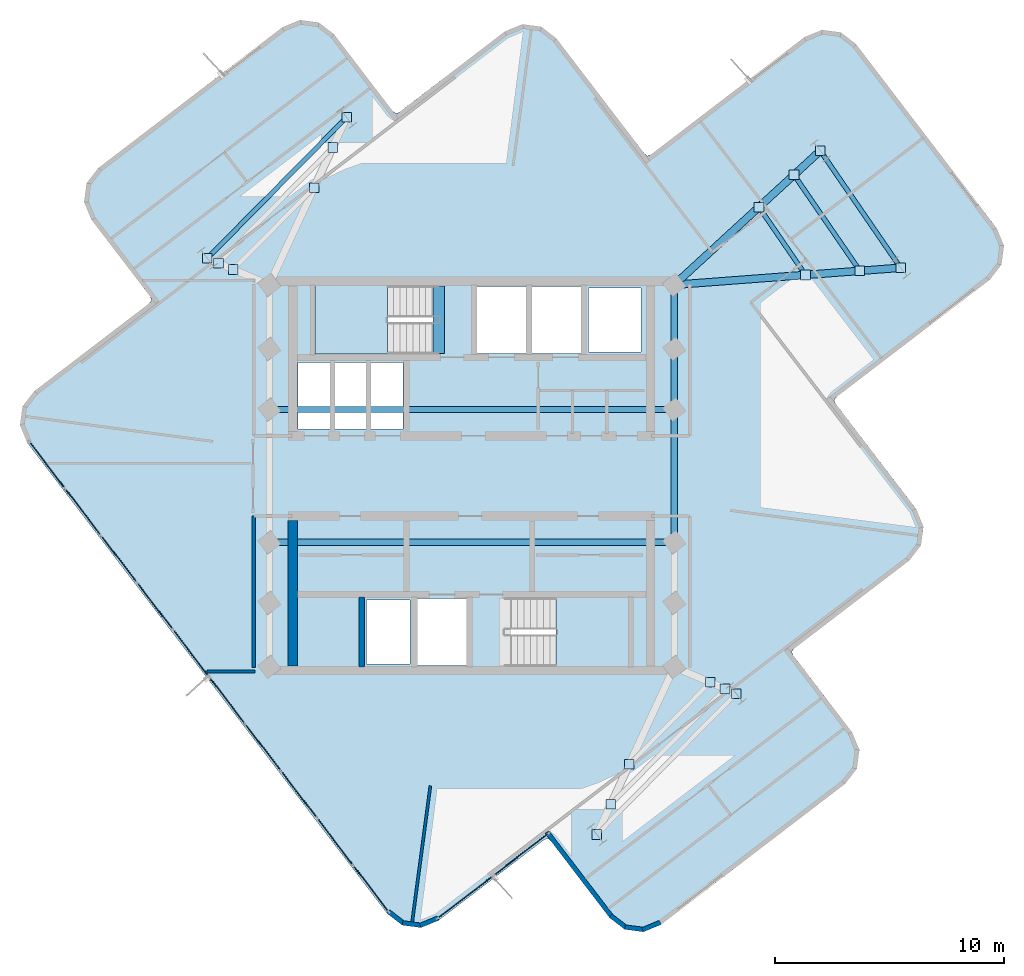
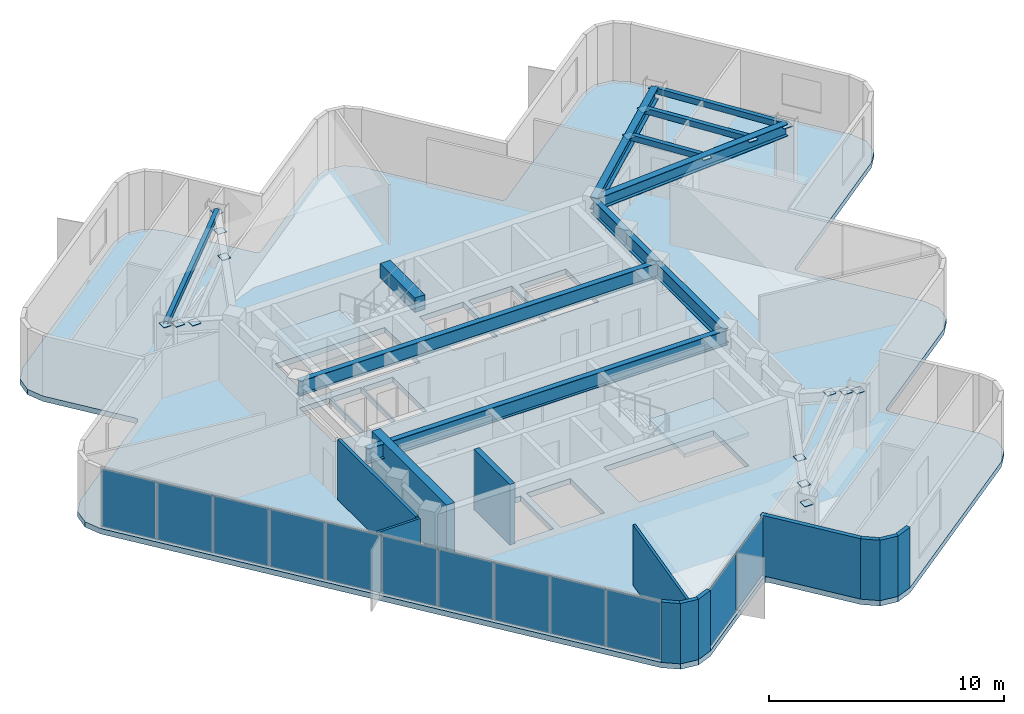
# One storey, part 4 of 9: 30 plates, 12 beams, 12 walls, 3 slabs, 4 elements without a shape of their own.
"""IFC4 building model written with IfcOpenShell, lengths in metres."""

import ifcopenshell
import ifcopenshell.guid

model = None  # the IFC model being written
_history = None  # IfcOwnerHistory: only IFC2X3 demands one
_inside = {}  # id of a spatial element -> (the spatial element, [elements in it])
_under = {}  # id of a project, library or spatial element -> (it, [spatial elements below it])
_declared = {}  # id of a project -> (the project, [libraries it declares])
_typed = {}  # id of a type object -> (the type object, [elements of that type])
_made_of = {}  # id of a material, layer set ... -> (it, [elements and type objects made of it])


def new_model(schema):
    """Start an empty IFC model of exactly this schema.

    Asked for "IFC4X3", IfcOpenShell would pick the latest addendum, in which some entities
    have other attributes; the version numbers below select the first issue.
    IFC2X3 requires an IfcOwnerHistory on every rooted entity: one is made here for all.
    """
    global model, _history
    if schema == "IFC4X3":
        model = ifcopenshell.file(schema_version=(4, 3, 0, 0))
    else:
        model = ifcopenshell.file(schema=schema)
    _inside.clear()
    _under.clear()
    _declared.clear()
    _typed.clear()
    _made_of.clear()
    _history = None
    if model.schema == "IFC2X3":
        org = make("IfcOrganization", Name="unknown")
        user = make(
            "IfcPersonAndOrganization",
            ThePerson=make("IfcPerson", FamilyName="unknown"),
            TheOrganization=org,
        )
        app = make(
            "IfcApplication",
            ApplicationDeveloper=org,
            Version="unknown",
            ApplicationFullName="unknown",
            ApplicationIdentifier="unknown",
        )
        _history = make(
            "IfcOwnerHistory",
            OwningUser=user,
            OwningApplication=app,
            ChangeAction="ADDED",
            CreationDate=0,
        )
    return model


def make(cls, **values):
    """One entity of the class cls with the attributes given. An attribute that is None is left unset."""
    return model.create_entity(
        cls, **{name: value for name, value in values.items() if value is not None}
    )


def rooted(cls, **values):
    """An entity with a GlobalId (a new one), such as an element, a storey or a relation."""
    return make(cls, GlobalId=ifcopenshell.guid.new(), OwnerHistory=_history, **values)


def si_unit(unit_type, name, prefix=None):
    """IfcSIUnit, for example si_unit("LENGTHUNIT", "METRE", prefix="MILLI")."""
    return make("IfcSIUnit", UnitType=unit_type, Prefix=prefix, Name=name)


def assignment(units):
    """IfcUnitAssignment: the units of a project."""
    return None if units is None else make("IfcUnitAssignment", Units=units)


def point(xyz):
    """IfcCartesianPoint."""
    return None if xyz is None else make("IfcCartesianPoint", Coordinates=xyz)


def direction(xyz):
    """IfcDirection."""
    return None if xyz is None else make("IfcDirection", DirectionRatios=xyz)


def frame(location, z_axis=None, x_axis=None):
    """IfcAxis2Placement3D, a coordinate frame: its origin and axes. An axis left out is left unset."""
    return make(
        "IfcAxis2Placement3D",
        Location=point(location),
        Axis=direction(z_axis),
        RefDirection=direction(x_axis),
    )


def frame_2d(location, x_axis=None):
    """IfcAxis2Placement2D, a coordinate frame in the plane: its origin and x axis."""
    return make(
        "IfcAxis2Placement2D", Location=point(location), RefDirection=direction(x_axis)
    )


def origin():
    """The frame at (0, 0, 0) with its axes left unset."""
    return frame((0.0, 0.0, 0.0))


def origin_2d():
    """The frame at (0, 0) in the plane with its x axis left unset."""
    return frame_2d((0.0, 0.0))


def place(relative_to, where):
    """IfcLocalPlacement: puts the frame where relative to a parent placement (None: the world)."""
    return make(
        "IfcLocalPlacement", PlacementRelTo=relative_to, RelativePlacement=where
    )


def context(
    kind, dimensions, precision=None, world=None, true_north=None, identifier=None
):
    """IfcGeometricRepresentationContext, for example the 3D "Model" context."""
    return make(
        "IfcGeometricRepresentationContext",
        ContextIdentifier=identifier,
        ContextType=kind,
        CoordinateSpaceDimension=dimensions,
        Precision=precision,
        WorldCoordinateSystem=world,
        TrueNorth=true_north,
    )


def subcontext(parent, identifier, kind, view, scale=None):
    """IfcGeometricRepresentationSubContext, for example "Body" below "Model"."""
    return make(
        "IfcGeometricRepresentationSubContext",
        ContextIdentifier=identifier,
        ContextType=kind,
        ParentContext=parent,
        TargetScale=scale,
        TargetView=view,
    )


def project(units=None, contexts=None):
    """IfcProject with its units and contexts."""
    return rooted(
        "IfcProject",
        Name="project",
        RepresentationContexts=contexts,
        UnitsInContext=assignment(units),
    )


def spatial(cls, under=None, at=None, **own):
    """A site, building, storey or space (cls), placed at a placement, below another one or the project."""
    s = rooted(cls, ObjectPlacement=at, **own)
    if under is not None:
        _under.setdefault(under.id(), (under, []))[1].append(s)
    return s


def polyline(points):
    """IfcPolyline through the points."""
    return make("IfcPolyline", Points=[point(p) for p in points])


def profile(cls, at=None, kind="AREA", **sizes):
    """A parametric profile (cls). Its sizes go by their IFC names, for example OverallWidth=200.0."""
    return make(cls, ProfileType=kind, Position=at, **sizes)


def rectangle(**sizes):
    """IfcRectangleProfileDef."""
    return profile("IfcRectangleProfileDef", **sizes)


def hollow_rectangle(**sizes):
    """IfcRectangleHollowProfileDef."""
    return profile("IfcRectangleHollowProfileDef", **sizes)


def i_section(**sizes):
    """IfcIShapeProfileDef."""
    return profile("IfcIShapeProfileDef", **sizes)


def outline(outer, holes=None, kind="AREA"):
    """IfcArbitraryClosedProfileDef: a profile drawn as a closed curve; with holes, ...WithVoids."""
    if holes is None:
        return make("IfcArbitraryClosedProfileDef", ProfileType=kind, OuterCurve=outer)
    return make(
        "IfcArbitraryProfileDefWithVoids",
        ProfileType=kind,
        OuterCurve=outer,
        InnerCurves=holes,
    )


def extrude(swept, where, along, depth):
    """IfcExtrudedAreaSolid: the profile swept, set in the frame where, extruded along a direction by depth."""
    return make(
        "IfcExtrudedAreaSolid",
        SweptArea=swept,
        Position=where,
        ExtrudedDirection=direction(along),
        Depth=depth,
    )


def shape(context_of_items, identifier, shape_type, items):
    """IfcShapeRepresentation: the items that make up one representation, for example the "Body"."""
    return make(
        "IfcShapeRepresentation",
        ContextOfItems=context_of_items,
        RepresentationIdentifier=identifier,
        RepresentationType=shape_type,
        Items=items,
    )


def material(Name=None, Category=None):
    """IfcMaterial."""
    return make("IfcMaterial", Name=Name, Category=Category)


def layer(
    of_material, thickness, ventilated=None, Name=None, Category=None, Priority=None
):
    """IfcMaterialLayer: one layer of a wall or slab, of a material (None: an air gap)."""
    return make(
        "IfcMaterialLayer",
        Material=of_material,
        LayerThickness=thickness,
        IsVentilated=ventilated,
        Name=Name,
        Category=Category,
        Priority=Priority,
    )


def layer_set(layers, Name=None):
    """IfcMaterialLayerSet."""
    return make("IfcMaterialLayerSet", MaterialLayers=layers, LayerSetName=Name)


def material_profile(
    of_material, cross_section, Name=None, Category=None, Priority=None
):
    """IfcMaterialProfile: a cross section and its material."""
    return make(
        "IfcMaterialProfile",
        Name=Name,
        Material=of_material,
        Profile=cross_section,
        Priority=Priority,
        Category=Category,
    )


def profile_set(profiles, Name=None, composite=None):
    """IfcMaterialProfileSet."""
    return make(
        "IfcMaterialProfileSet",
        Name=Name,
        MaterialProfiles=profiles,
        CompositeProfile=composite,
    )


def made_of(thing, what):
    """Note that an element or type object is made of a material, layer set ...; save() writes the relation."""
    if what is not None:
        _made_of.setdefault(what.id(), (what, []))[1].append(thing)
    return thing


def type_object(cls, material=None, **own):
    """A type object (cls), such as IfcWallType, which elements share."""
    return made_of(rooted(cls, **own), material)


def element(
    cls,
    number,
    at=None,
    inside=None,
    cuts=None,
    type_object=None,
    material=None,
    context=None,
    identifier="Body",
    shape_type=None,
    held_by="IfcProductDefinitionShape",
    body=None,
    shapes=None,
    **own,
):
    """One element of the class cls, such as IfcWall. Its Tag is "e" and its number.

    at: its placement. inside: the storey or other place that contains it. cuts: it is an
    opening in that element (IfcRelVoidsElement). A single representation is given by context,
    identifier, shape_type and body (its items); several are given by shapes. held_by: the class
    of the entity that holds the representations. save() writes the other relations.
    """
    e = rooted(cls, Tag="e%d" % number, ObjectPlacement=at, **own)
    if body is not None:
        shapes = [shape(context, identifier, shape_type, body)]
    if shapes is not None:
        e.Representation = make(held_by, Representations=shapes)
    if inside is not None:
        _inside.setdefault(inside.id(), (inside, []))[1].append(e)
    if cuts is not None:
        rooted(
            "IfcRelVoidsElement", RelatingBuildingElement=cuts, RelatedOpeningElement=e
        )
    if type_object is not None:
        _typed.setdefault(type_object.id(), (type_object, []))[1].append(e)
    return made_of(e, material)


def aggregate(whole, parts):
    """IfcRelAggregates: a whole, such as a stair, and the parts it consists of."""
    return rooted("IfcRelAggregates", RelatingObject=whole, RelatedObjects=parts)


def save(model, path):
    """Write the relations noted so far, then the file.

    IfcRelAggregates (storeys below a building ...), IfcRelContainedInSpatialStructure (elements
    in a storey), IfcRelDefinesByType, IfcRelAssociatesMaterial and IfcRelDeclares: one each for
    every whole, place, type object, material and project.
    """
    for whole, parts in _under.values():
        aggregate(whole, parts)
    for where, things in _inside.values():
        rooted(
            "IfcRelContainedInSpatialStructure",
            RelatedElements=things,
            RelatingStructure=where,
        )
    for kind, things in _typed.values():
        rooted("IfcRelDefinesByType", RelatedObjects=things, RelatingType=kind)
    for what, things in _made_of.values():
        rooted("IfcRelAssociatesMaterial", RelatedObjects=things, RelatingMaterial=what)
    for by, libraries in _declared.values():
        rooted("IfcRelDeclares", RelatingContext=by, RelatedDefinitions=libraries)
    model.write(path)


model = new_model("IFC4")

# Units and contexts
model_context = context("Model", 3, precision=1e-05, world=origin(), true_north=direction((0.0, 1.0)))
body_context = subcontext(model_context, "Body", "Model", "MODEL_VIEW")
ifc_project = project(units=[si_unit("LENGTHUNIT", "METRE"), si_unit("AREAUNIT", "SQUARE_METRE"), si_unit("VOLUMEUNIT", "CUBIC_METRE"), si_unit("PLANEANGLEUNIT", "RADIAN"), si_unit("MASSUNIT", "GRAM", prefix="KILO")], contexts=[model_context])

# Site, building, storey
site_placement = place(None, origin())
site = spatial("IfcSite", under=ifc_project, at=site_placement, CompositionType="ELEMENT")
building_placement = place(site_placement, origin())
building = spatial("IfcBuilding", under=site, at=building_placement, Name="Solmarez Civic Tower", CompositionType="ELEMENT")
storey_placement = place(building_placement, frame((0.0, 0.0, 229.139892578125)))
storey = spatial("IfcBuildingStorey", under=building, at=storey_placement, Name="L61", CompositionType="ELEMENT", Elevation=229.139892578125)

# Beams
ifc_material_1 = material(Name="Steel S355", Category="steel")
ifc_material_profile_1 = material_profile(ifc_material_1, hollow_rectangle(XDim=0.199951171875, YDim=0.300048828125, WallThickness=0.011962890625, at=origin_2d()), Name="HSS300X200X12")
ifc_profile_set_1 = profile_set([ifc_material_profile_1], Name="Steel S355")
beam_type_1 = type_object("IfcBeamType", Name="BM-JS-HSS300X200", PredefinedType="JOIST", material=ifc_profile_set_1)
beam_1_placement = place(storey_placement, frame((18.740966796875, 9.096923828125, 2.989990234375), z_axis=(-0.565711253315, 0.824603406416, 0.0), x_axis=(-0.824603406416, -0.565711253315, 0.0)))
element("IfcBeam", 1, at=beam_1_placement, inside=storey, type_object=beam_type_1, Name="L61 Secondary Floor Joist BM-L61-EA-T1", PredefinedType="JOIST", context=body_context, shape_type="SweptSolid", body=[
    extrude(hollow_rectangle(XDim=0.199951171875, YDim=0.300048828125, WallThickness=0.011962890625, at=origin_2d()), origin(), (0.0, 0.0, 1.0), 6.199462890625),
])
beam_2_placement = place(storey_placement, frame((14.5869140625, 8.782958984375, 2.989990234375), z_axis=(-0.565666897805, 0.824633834334, 0.0), x_axis=(-0.824633834334, -0.565666897805, 0.0)))
element("IfcBeam", 2, at=beam_2_placement, inside=storey, type_object=beam_type_1, Name="L61 Secondary Floor Joist JS-L61-EA-M11", PredefinedType="JOIST", context=body_context, shape_type="SweptSolid", body=[
    extrude(hollow_rectangle(XDim=0.199951171875, YDim=0.300048828125, WallThickness=0.011962890625, at=origin_2d()), origin(), (0.0, 0.0, 1.0), 3.595703125),
])
beam_3_placement = place(storey_placement, frame((16.9609375, 8.962890625, 2.989990234375), z_axis=(-0.565800880521, 0.824541911367, 0.0), x_axis=(-0.824541911367, -0.565800880521, 0.0)))
element("IfcBeam", 3, at=beam_3_placement, inside=storey, type_object=beam_type_1, Name="L61 Secondary Floor Joist JS-L61-EA-M12", PredefinedType="JOIST", context=body_context, shape_type="SweptSolid", body=[
    extrude(hollow_rectangle(XDim=0.199951171875, YDim=0.300048828125, WallThickness=0.011962890625, at=origin_2d()), origin(), (0.0, 0.0, 1.0), 5.0830078125),
])
beam_4_placement = place(storey_placement, frame((-5.468017578125, 15.6708984375, 2.989990234375), z_axis=(-0.702766092364, -0.711420986072, 0.0), x_axis=(0.711420986072, -0.702766092364, 0.0)))
element("IfcBeam", 4, at=beam_4_placement, inside=storey, type_object=beam_type_1, Name="L61 Secondary Floor Joist BM-L61-NA-T1", PredefinedType="JOIST", context=body_context, shape_type="SweptSolid", body=[
    extrude(hollow_rectangle(XDim=0.199951171875, YDim=0.300048828125, WallThickness=0.011962890625, at=origin_2d()), origin(), (0.0, 0.0, 1.0), 8.659912109375),
])
ifc_material_2 = material(Name="Concrete C50/60", Category="concrete")
ifc_material_profile_2 = material_profile(ifc_material_2, rectangle(XDim=0.5, YDim=0.75, at=origin_2d()), Name="RC500X750")
ifc_profile_set_2 = profile_set([ifc_material_profile_2], Name="Concrete C50/60")
beam_type_2 = type_object("IfcBeamType", Name="BM-PR-RC500X750", PredefinedType="BEAM", material=ifc_profile_set_2)
beam_5_placement = place(storey_placement, frame((-1.449951171875, 5.340087890625, 3.05322265625), z_axis=(0.0, 1.0, 0.0), x_axis=(-1.0, 0.0, 0.0)))
element("IfcBeam", 5, at=beam_5_placement, inside=storey, type_object=beam_type_2, Name="L61 North Stair Threshold Beam", PredefinedType="BEAM", context=body_context, shape_type="SweptSolid", body=[
    extrude(rectangle(XDim=0.5, YDim=0.75, at=origin_2d()), origin(), (0.0, 0.0, 1.0), 2.9599609375),
])
ifc_material_profile_3 = material_profile(ifc_material_1, i_section(OverallWidth=0.327880859375, OverallDepth=0.6220703125, WebThickness=0.015380859375, FlangeThickness=0.0244140625, at=origin_2d()), Name="W24X131")
ifc_profile_set_3 = profile_set([ifc_material_profile_3], Name="Steel S355")
beam_type_3 = type_object("IfcBeamType", Name="BM-PR-W24X131", PredefinedType="BEAM", material=ifc_profile_set_3)
beam_6_placement = place(storey_placement, frame((8.85009765625, 8.35009765625, 2.8291015625), z_axis=(0.997161506076, 0.075292302399, 0.0), x_axis=(-0.075292302399, 0.997161506076, 0.0)))
element("IfcBeam", 6, at=beam_6_placement, inside=storey, type_object=beam_type_3, Name="L61 Primary Floor Beam BM-L61-EA-R1A", PredefinedType="BEAM", context=body_context, shape_type="SweptSolid", body=[
    extrude(i_section(OverallWidth=0.327880859375, OverallDepth=0.6220703125, WebThickness=0.015380859375, FlangeThickness=0.0244140625, at=origin_2d()), origin(), (0.0, 0.0, 1.0), 9.9189453125),
])
beam_7_placement = place(storey_placement, frame((8.85009765625, 8.35009765625, 2.8291015625), z_axis=(0.736746995662, 0.676168517741, 0.0), x_axis=(-0.676168517741, 0.736746995662, 0.0)))
element("IfcBeam", 7, at=beam_7_placement, inside=storey, type_object=beam_type_3, Name="L61 Primary Floor Beam BM-L61-EA-R1B", PredefinedType="BEAM", context=body_context, shape_type="SweptSolid", body=[
    extrude(i_section(OverallWidth=0.327880859375, OverallDepth=0.6220703125, WebThickness=0.015380859375, FlangeThickness=0.0244140625, at=origin_2d()), origin(), (0.0, 0.0, 1.0), 8.664794921875),
])
ifc_material_profile_4 = material_profile(ifc_material_1, i_section(OverallWidth=0.26708984375, OverallDepth=0.761962890625, WebThickness=0.014404296875, FlangeThickness=0.021484375, at=origin_2d()), Name="W30X116")
ifc_profile_set_4 = profile_set([ifc_material_profile_4], Name="Steel S355")
beam_type_4 = type_object("IfcBeamType", Name="BM-PR-W30X116", PredefinedType="BEAM", material=ifc_profile_set_4)
beam_8_placement = place(storey_placement, frame((8.85009765625, -2.89990234375, 2.759033203125), z_axis=(0.0, 1.0, 0.0), x_axis=(-1.0, 0.0, 0.0)))
element("IfcBeam", 8, at=beam_8_placement, inside=storey, type_object=beam_type_4, Name="L61 Primary Floor Beam BM-L61-HC6-HC7", PredefinedType="BEAM", context=body_context, shape_type="SweptSolid", body=[
    extrude(i_section(OverallWidth=0.26708984375, OverallDepth=0.761962890625, WebThickness=0.014404296875, FlangeThickness=0.021484375, at=origin_2d()), origin(), (0.0, 0.0, 1.0), 5.7998046875),
])
beam_9_placement = place(storey_placement, frame((8.85009765625, 2.89990234375, 2.759033203125), z_axis=(0.0, 1.0, 0.0), x_axis=(-1.0, 0.0, 0.0)))
element("IfcBeam", 9, at=beam_9_placement, inside=storey, type_object=beam_type_4, Name="L61 Primary Floor Beam BM-L61-HC7-HC8", PredefinedType="BEAM", context=body_context, shape_type="SweptSolid", body=[
    extrude(i_section(OverallWidth=0.26708984375, OverallDepth=0.761962890625, WebThickness=0.014404296875, FlangeThickness=0.021484375, at=origin_2d()), origin(), (0.0, 0.0, 1.0), 2.650146484375),
])
beam_10_placement = place(storey_placement, frame((8.85009765625, 5.550048828125, 2.759033203125), z_axis=(0.0, 1.0, 0.0), x_axis=(-1.0, 0.0, 0.0)))
element("IfcBeam", 10, at=beam_10_placement, inside=storey, type_object=beam_type_4, Name="L61 Primary Floor Beam BM-L61-HC8-HC11", PredefinedType="BEAM", context=body_context, shape_type="SweptSolid", body=[
    extrude(i_section(OverallWidth=0.26708984375, OverallDepth=0.761962890625, WebThickness=0.014404296875, FlangeThickness=0.021484375, at=origin_2d()), origin(), (0.0, 0.0, 1.0), 2.800048828125),
])
for number, where, z_axis, x_axis, name in (
    (11, (-8.85009765625, -2.89990234375, 2.759033203125), (1.0, 0.0, 0.0), (0.0, 1.0, 0.0), "L61 Primary Floor Beam BM-L61-HC2-HC6"),
    (12, (-8.85009765625, 2.89990234375, 2.759033203125), (1.0, 0.0, 0.0), (0.0, 1.0, 0.0), "L61 Primary Floor Beam BM-L61-HC3-HC7"),
):
    element("IfcBeam", number, at=place(storey_placement, frame(where, z_axis=z_axis, x_axis=x_axis)), inside=storey, type_object=beam_type_4, Name=name, PredefinedType="BEAM", context=body_context, shape_type="SweptSolid", body=[
        extrude(i_section(OverallWidth=0.26708984375, OverallDepth=0.761962890625, WebThickness=0.014404296875, FlangeThickness=0.021484375, at=origin_2d()), origin(), (0.0, 0.0, 1.0), 17.7001953125),
    ])

# Curtain wall, plates
ifc_material_3 = material(Name="Bronze Anodised Aluminium EN AW-6063 T6", Category="aluminium")
ifc_layer_1 = layer(ifc_material_3, 0.1650390625)
ifc_layer_set_1 = layer_set([ifc_layer_1], Name="Bronze Anodised Aluminium EN AW-6063 T6")
curtain_wall_type = type_object("IfcCurtainWallType", Name="CW-SYS-4", PredefinedType="NOTDEFINED", material=ifc_layer_set_1)
curtain_wall_1_placement = place(storey_placement, origin())
curtain_wall_1 = element("IfcCurtainWall", 13, at=curtain_wall_1_placement, inside=storey, type_object=curtain_wall_type, Name="L61 Stick-Built Curtain Wall 1", PredefinedType="NOTDEFINED")
ifc_material_4 = material(Name="Solar Control Low-E Laminated Vision Glass", Category="glass")
ifc_layer_2 = layer(ifc_material_4, 0.0400390625)
ifc_layer_set_2 = layer_set([ifc_layer_2], Name="Solar Control Low-E Laminated Vision Glass")
plate_type_1 = type_object("IfcPlateType", Name="CWP-GLAZ-40", PredefinedType="CURTAIN_PANEL", material=ifc_layer_set_2)
plate_1_placement = place(storey_placement, frame((2.162353515625, -16.53515625, 0.070068359375), z_axis=(0.0, 0.0, 1.0), x_axis=(-0.794334951734, -0.607480028029, 0.0)))
plate_1 = element("IfcPlate", 14, at=plate_1_placement, type_object=plate_type_1, Name="CWS4 panel 1.1", PredefinedType="CURTAIN_PANEL", context=body_context, shape_type="SweptSolid", body=[
    extrude(rectangle(XDim=3.01123046875, YDim=0.0400390625, at=origin_2d()), origin(), (0.0, 0.0, 1.0), 3.0),
])
plate_2_placement = place(storey_placement, frame((-0.27734375, -18.40087890625, 0.070068359375), z_axis=(0.0, 0.0, 1.0), x_axis=(-0.794334951734, -0.607480028029, 0.0)))
plate_2 = element("IfcPlate", 15, at=plate_2_placement, type_object=plate_type_1, Name="CWS4 panel 2.1", PredefinedType="CURTAIN_PANEL", context=body_context, shape_type="SweptSolid", body=[
    extrude(rectangle(XDim=3.01123046875, YDim=0.0400390625, at=origin_2d()), origin(), (0.0, 0.0, 1.0), 3.0),
])
aggregate(curtain_wall_1, [plate_1, plate_2])

curtain_wall_2_placement = place(storey_placement, origin())
curtain_wall_2 = element("IfcCurtainWall", 16, at=curtain_wall_2_placement, inside=storey, type_object=curtain_wall_type, Name="L61 Stick-Built Curtain Wall 2", PredefinedType="NOTDEFINED")
plate_3_placement = place(storey_placement, frame((-4.4033203125, -18.0322265625, 0.070068359375), z_axis=(0.0, 0.0, 1.0), x_axis=(-0.607349877348, 0.794434469598, 0.0)))
plate_3 = element("IfcPlate", 17, at=plate_3_placement, type_object=plate_type_1, Name="CWS4 panel 1.1", PredefinedType="CURTAIN_PANEL", context=body_context, shape_type="SweptSolid", body=[
    extrude(rectangle(XDim=2.50244140625, YDim=0.0400390625, at=origin_2d()), origin(), (0.0, 0.0, 1.0), 3.0),
])
plate_4_placement = place(storey_placement, frame((-5.96875, -15.98486328125, 0.070068359375), z_axis=(0.0, 0.0, 1.0), x_axis=(-0.607349877348, 0.794434469598, 0.0)))
plate_4 = element("IfcPlate", 18, at=plate_4_placement, type_object=plate_type_1, Name="CWS4 panel 2.1", PredefinedType="CURTAIN_PANEL", context=body_context, shape_type="SweptSolid", body=[
    extrude(rectangle(XDim=2.532470703125, YDim=0.0400390625, at=origin_2d()), origin(), (0.0, 0.0, 1.0), 3.0),
])
plate_5_placement = place(storey_placement, frame((-7.543212890625, -13.92529296875, 0.070068359375), z_axis=(0.0, 0.0, 1.0), x_axis=(-0.607349877348, 0.794434469598, 0.0)))
plate_5 = element("IfcPlate", 19, at=plate_5_placement, type_object=plate_type_1, Name="CWS4 panel 3.1", PredefinedType="CURTAIN_PANEL", context=body_context, shape_type="SweptSolid", body=[
    extrude(rectangle(XDim=2.532470703125, YDim=0.0400390625, at=origin_2d()), origin(), (0.0, 0.0, 1.0), 3.0),
])
plate_6_placement = place(storey_placement, frame((-9.11767578125, -11.86572265625, 0.070068359375), z_axis=(0.0, 0.0, 1.0), x_axis=(-0.607349877348, 0.794434469598, 0.0)))
plate_6 = element("IfcPlate", 20, at=plate_6_placement, type_object=plate_type_1, Name="CWS4 panel 4.1", PredefinedType="CURTAIN_PANEL", context=body_context, shape_type="SweptSolid", body=[
    extrude(rectangle(XDim=2.532470703125, YDim=0.0400390625, at=origin_2d()), origin(), (0.0, 0.0, 1.0), 3.0),
])
plate_7_placement = place(storey_placement, frame((-10.692138671875, -9.80615234375, 0.070068359375), z_axis=(0.0, 0.0, 1.0), x_axis=(-0.607349877348, 0.794434469598, 0.0)))
plate_7 = element("IfcPlate", 21, at=plate_7_placement, type_object=plate_type_1, Name="CWS4 panel 5.1", PredefinedType="CURTAIN_PANEL", context=body_context, shape_type="SweptSolid", body=[
    extrude(rectangle(XDim=2.532470703125, YDim=0.0400390625, at=origin_2d()), origin(), (0.0, 0.0, 1.0), 3.0),
])
plate_8_placement = place(storey_placement, frame((-12.266845703125, -7.746826171875, 0.070068359375), z_axis=(0.0, 0.0, 1.0), x_axis=(-0.607349877348, 0.794434469598, 0.0)))
plate_8 = element("IfcPlate", 22, at=plate_8_placement, type_object=plate_type_1, Name="CWS4 panel 6.1", PredefinedType="CURTAIN_PANEL", context=body_context, shape_type="SweptSolid", body=[
    extrude(rectangle(XDim=2.532470703125, YDim=0.0400390625, at=origin_2d()), origin(), (0.0, 0.0, 1.0), 3.0),
])
plate_9_placement = place(storey_placement, frame((-13.84130859375, -5.687255859375, 0.070068359375), z_axis=(0.0, 0.0, 1.0), x_axis=(-0.607349877348, 0.794434469598, 0.0)))
plate_9 = element("IfcPlate", 23, at=plate_9_placement, type_object=plate_type_1, Name="CWS4 panel 7.1", PredefinedType="CURTAIN_PANEL", context=body_context, shape_type="SweptSolid", body=[
    extrude(rectangle(XDim=2.532470703125, YDim=0.0400390625, at=origin_2d()), origin(), (0.0, 0.0, 1.0), 3.0),
])
plate_10_placement = place(storey_placement, frame((-15.415771484375, -3.627685546875, 0.070068359375), z_axis=(0.0, 0.0, 1.0), x_axis=(-0.607349877348, 0.794434469598, 0.0)))
plate_10 = element("IfcPlate", 24, at=plate_10_placement, type_object=plate_type_1, Name="CWS4 panel 8.1", PredefinedType="CURTAIN_PANEL", context=body_context, shape_type="SweptSolid", body=[
    extrude(rectangle(XDim=2.532470703125, YDim=0.0400390625, at=origin_2d()), origin(), (0.0, 0.0, 1.0), 3.0),
])
plate_11_placement = place(storey_placement, frame((-16.990234375, -1.568359375, 0.070068359375), z_axis=(0.0, 0.0, 1.0), x_axis=(-0.607349877348, 0.794434469598, 0.0)))
plate_11 = element("IfcPlate", 25, at=plate_11_placement, type_object=plate_type_1, Name="CWS4 panel 9.1", PredefinedType="CURTAIN_PANEL", context=body_context, shape_type="SweptSolid", body=[
    extrude(rectangle(XDim=2.532470703125, YDim=0.0400390625, at=origin_2d()), origin(), (0.0, 0.0, 1.0), 3.0),
])
plate_12_placement = place(storey_placement, frame((-18.5556640625, 0.479248046875, 0.070068359375), z_axis=(0.0, 0.0, 1.0), x_axis=(-0.607349877348, 0.794434469598, 0.0)))
plate_12 = element("IfcPlate", 26, at=plate_12_placement, type_object=plate_type_1, Name="CWS4 panel 10.1", PredefinedType="CURTAIN_PANEL", context=body_context, shape_type="SweptSolid", body=[
    extrude(rectangle(XDim=2.50244140625, YDim=0.0400390625, at=origin_2d()), origin(), (0.0, 0.0, 1.0), 3.0),
])
aggregate(curtain_wall_2, [plate_3, plate_4, plate_5, plate_6, plate_7, plate_8, plate_9, plate_10, plate_11, plate_12])

# Plates
ifc_layer_3 = layer(ifc_material_1, 0.02392578125)
ifc_layer_set_3 = layer_set([ifc_layer_3], Name="Steel S355")
plate_type_2 = type_object("IfcPlateType", Name="PLT-CAP-380", PredefinedType="USERDEFINED", material=ifc_layer_set_3)
for number, where, z_axis, x_axis, name in (
    (27, (18.740966796875, 9.096923828125, 2.97802734375), (0.0, 0.0, 1.0), (1.0, 0.0, 0.0), "Steel Member End Cap Plate CAP-BM-L61-EA-T1-0"),
    (28, (15.23388671875, 14.208984375, 2.97802734375), (0.0, 0.0, 1.0), (1.0, 0.0, 0.0), "Steel Member End Cap Plate CAP-BM-L61-EA-T1-1"),
    (29, (14.5869140625, 8.782958984375, 2.97802734375), (0.0, 0.0, 1.0), (1.0, 0.0, 0.0), "Steel Member End Cap Plate CAP-JS-L61-EA-M11-0"),
    (30, (12.552978515625, 11.748046875, 2.97802734375), (0.0, 0.0, 1.0), (1.0, 0.0, 0.0), "Steel Member End Cap Plate CAP-JS-L61-EA-M11-1"),
    (31, (16.9609375, 8.962890625, 2.97802734375), (0.0, 0.0, 1.0), (1.0, 0.0, 0.0), "Steel Member End Cap Plate CAP-JS-L61-EA-M12-0"),
    (32, (14.0849609375, 13.154052734375, 2.97802734375), (0.0, 0.0, 1.0), (1.0, 0.0, 0.0), "Steel Member End Cap Plate CAP-JS-L61-EA-M12-1"),
    (33, (-5.468017578125, 15.6708984375, 2.97802734375), (0.0, 0.0, 1.0), (1.0, 0.0, 0.0), "Steel Member End Cap Plate CAP-BM-L61-NA-T1-0"),
    (34, (-11.553955078125, 9.510009765625, 2.97802734375), (0.0, 0.0, 1.0), (1.0, 0.0, 0.0), "Steel Member End Cap Plate CAP-BM-L61-NA-T1-1"),
    (35, (-6.887939453125, 12.595947265625, 2.97802734375), (0.0, 0.0, 1.0), (1.0, 0.0, 0.0), "Steel Member End Cap Plate CAP-JS-L61-NA-M11-0"),
    (36, (-10.41796875, 9.02294921875, 2.97802734375), (0.0, 0.0, 1.0), (1.0, 0.0, 0.0), "Steel Member End Cap Plate CAP-JS-L61-NA-M11-1"),
    (37, (-6.076904296875, 14.35302734375, 2.97802734375), (0.0, 0.0, 1.0), (1.0, 0.0, 0.0), "Steel Member End Cap Plate CAP-JS-L61-NA-M12-0"),
    (38, (-11.06689453125, 9.301025390625, 2.97802734375), (0.0, 0.0, 1.0), (1.0, 0.0, 0.0), "Steel Member End Cap Plate CAP-JS-L61-NA-M12-1"),
    (39, (5.468017578125, -15.6708984375, 2.97802734375), (0.0, 0.0, 1.0), (1.0, 0.0, 0.0), "Steel Member End Cap Plate CAP-BM-L61-SA-T1-0"),
    (40, (11.553955078125, -9.510009765625, 2.97802734375), (0.0, 0.0, 1.0), (1.0, 0.0, 0.0), "Steel Member End Cap Plate CAP-BM-L61-SA-T1-1"),
    (41, (6.887939453125, -12.595947265625, 2.97802734375), (0.0, 0.0, 1.0), (1.0, 0.0, 0.0), "Steel Member End Cap Plate CAP-JS-L61-SA-M11-0"),
    (42, (10.41796875, -9.02294921875, 2.97802734375), (0.0, 0.0, 1.0), (1.0, 0.0, 0.0), "Steel Member End Cap Plate CAP-JS-L61-SA-M11-1"),
    (43, (6.076904296875, -14.35302734375, 2.97802734375), (0.0, 0.0, 1.0), (1.0, 0.0, 0.0), "Steel Member End Cap Plate CAP-JS-L61-SA-M12-0"),
    (44, (11.06689453125, -9.301025390625, 2.97802734375), (0.0, 0.0, 1.0), (1.0, 0.0, 0.0), "Steel Member End Cap Plate CAP-JS-L61-SA-M12-1"),
):
    element("IfcPlate", number, at=place(storey_placement, frame(where, z_axis=z_axis, x_axis=x_axis)), inside=storey, type_object=plate_type_2, Name=name, ObjectType="CAP_PLATE", PredefinedType="USERDEFINED", context=body_context, shape_type="SweptSolid", body=[
        extrude(rectangle(XDim=0.419921875, YDim=0.419921875, at=origin_2d()), origin(), (0.0, 0.0, 1.0), 0.02392578125),
    ])

# Stair, slab
stair_type = type_object("IfcStairType", Name="STAIR-DOGLEG-140W-18R-1900", PredefinedType="HALF_TURN_STAIR", material=ifc_material_2)
stair_1_placement = place(storey_placement, origin())
stair_1 = element("IfcStair", 45, at=stair_1_placement, inside=storey, type_object=stair_type, Name="L61 North Core Protected Exit Stair ST-1", PredefinedType="HALF_TURN_STAIR")
ifc_layer_4 = layer(ifc_material_2, 0.199951171875)
ifc_layer_set_4 = layer_set([ifc_layer_4], Name="Concrete C50/60")
slab_type_1 = type_object("IfcSlabType", Name="SLAB-LANDING-200", PredefinedType="LANDING", material=ifc_layer_set_4)
slab_1_placement = place(storey_placement, frame((0.0, 0.0, 1.510009765625)))
slab_1 = element("IfcSlab", 46, at=slab_1_placement, type_object=slab_type_1, Name="ST-1 landing 1", PredefinedType="LANDING", context=body_context, shape_type="SweptSolid", body=[
    extrude(outline(polyline([(-3.68994140625, 8.320068359375), (-6.85009765625, 8.320068359375), (-6.85009765625, 5.320068359375), (-3.68994140625, 5.320068359375), (-3.68994140625, 8.320068359375)])), origin(), (0.0, 0.0, 1.0), 0.2001953125),
])
aggregate(stair_1, [slab_1])

stair_2_placement = place(storey_placement, origin())
stair_2 = element("IfcStair", 47, at=stair_2_placement, inside=storey, type_object=stair_type, Name="L61 South Core Protected Exit Stair ST-2", PredefinedType="HALF_TURN_STAIR")
slab_2_placement = place(storey_placement, frame((0.0, 0.0, 1.510009765625)))
slab_2 = element("IfcSlab", 48, at=slab_2_placement, type_object=slab_type_1, Name="ST-2 landing 1", PredefinedType="LANDING", context=body_context, shape_type="SweptSolid", body=[
    extrude(outline(polyline([(3.68994140625, -8.320068359375), (6.85009765625, -8.320068359375), (6.85009765625, -5.320068359375), (3.68994140625, -5.320068359375), (3.68994140625, -8.320068359375)])), origin(), (0.0, 0.0, 1.0), 0.2001953125),
])
aggregate(stair_2, [slab_2])

# Slab
ifc_layer_5 = layer(ifc_material_2, 0.280029296875)
ifc_layer_set_5 = layer_set([ifc_layer_5], Name="Concrete C50/60")
slab_type_2 = type_object("IfcSlabType", Name="SLAB-TOWER-280", PredefinedType="FLOOR", material=ifc_layer_set_5)
slab_3_placement = place(storey_placement, frame((0.0, 0.0, -0.27978515625)))
element("IfcSlab", 49, at=slab_3_placement, inside=storey, type_object=slab_type_2, Name="L61 Structural Slab", PredefinedType="FLOOR", context=body_context, shape_type="SweptSolid", body=[
    extrude(outline(polyline([(3.451904296875, -15.94091796875), (6.027099609375, -19.30908203125), (6.68310546875, -19.81396484375), (7.50390625, -19.924072265625), (8.27001953125, -19.60791015625), (16.324951171875, -13.449951171875), (16.830078125, -12.79296875), (16.93994140625, -11.971923828125), (16.6240234375, -11.20703125), (14.050048828125, -7.839111328125), (13.98388671875, -7.679931640625), (14.089111328125, -7.5439453125), (19.125, -3.693115234375), (19.6298828125, -3.037109375), (19.739990234375, -2.216064453125), (19.424072265625, -1.449951171875), (15.902099609375, 3.156982421875), (15.8359375, 3.31591796875), (15.94091796875, 3.451904296875), (22.64599609375, 8.577880859375), (23.15087890625, 9.23388671875), (23.260009765625, 10.054931640625), (22.945068359375, 10.821044921875), (16.785888671875, 18.8759765625), (16.1298828125, 19.381103515625), (15.30908203125, 19.490966796875), (14.54296875, 19.175048828125), (7.839111328125, 14.050048828125), (7.679931640625, 13.98388671875), (7.5439453125, 14.089111328125), (3.693115234375, 19.125), (3.037109375, 19.6298828125), (2.216064453125, 19.739990234375), (1.449951171875, 19.424072265625), (-3.156982421875, 15.902099609375), (-3.31591796875, 15.8359375), (-3.451904296875, 15.94091796875), (-6.027099609375, 19.30908203125), (-6.68310546875, 19.81396484375), (-7.50390625, 19.924072265625), (-8.27001953125, 19.60791015625), (-16.324951171875, 13.449951171875), (-16.830078125, 12.79296875), (-16.93994140625, 11.971923828125), (-16.6240234375, 11.20703125), (-14.050048828125, 7.839111328125), (-13.98388671875, 7.679931640625), (-14.089111328125, 7.5439453125), (-19.125, 3.693115234375), (-19.6298828125, 3.037109375), (-19.739990234375, 2.216064453125), (-19.424072265625, 1.449951171875), (-3.693115234375, -19.125), (-3.037109375, -19.6298828125), (-2.216064453125, -19.739990234375), (-1.449951171875, -19.424072265625), (3.156982421875, -15.902099609375), (3.31591796875, -15.8359375), (3.451904296875, -15.94091796875)]), holes=[polyline([(-1.449951171875, 8.320068359375), (-6.85009765625, 8.320068359375), (-6.85009765625, 5.320068359375), (-1.449951171875, 5.320068359375), (-1.449951171875, 8.320068359375)]), polyline([(1.449951171875, -8.320068359375), (6.85009765625, -8.320068359375), (6.85009765625, -5.320068359375), (1.449951171875, -5.320068359375), (1.449951171875, -8.320068359375)]), polyline([(0.219970703125, 5.360107421875), (2.3798828125, 5.360107421875), (2.3798828125, 8.280029296875), (0.219970703125, 8.280029296875), (0.219970703125, 5.360107421875)]), polyline([(2.6201171875, 5.360107421875), (4.780029296875, 5.360107421875), (4.780029296875, 8.280029296875), (2.6201171875, 8.280029296875), (2.6201171875, 5.360107421875)]), polyline([(-2.3798828125, -8.280029296875), (-0.219970703125, -8.280029296875), (-0.219970703125, -5.360107421875), (-2.3798828125, -5.360107421875), (-2.3798828125, -8.280029296875)]), polyline([(-7.60009765625, 2.06005859375), (-6.1201171875, 2.06005859375), (-6.1201171875, 4.9599609375), (-7.60009765625, 4.9599609375), (-7.60009765625, 2.06005859375)]), polyline([(-6.0400390625, 2.06005859375), (-4.56005859375, 2.06005859375), (-4.56005859375, 4.9599609375), (-6.0400390625, 4.9599609375), (-6.0400390625, 2.06005859375)]), polyline([(-4.47998046875, 2.06005859375), (-3.0, 2.06005859375), (-3.0, 4.9599609375), (-4.47998046875, 4.9599609375), (-4.47998046875, 2.06005859375)]), polyline([(5.10009765625, 5.419921875), (7.39990234375, 5.419921875), (7.39990234375, 8.219970703125), (5.10009765625, 8.219970703125), (5.10009765625, 5.419921875)]), polyline([(-4.60009765625, -8.219970703125), (-2.699951171875, -8.219970703125), (-2.699951171875, -5.419921875), (-4.60009765625, -5.419921875), (-4.60009765625, -8.219970703125)])]), origin(), (0.0, 0.0, 1.0), 0.27978515625),
])

# Walls
ifc_layer_6 = layer(ifc_material_2, 0.39990234375)
ifc_layer_set_6 = layer_set([ifc_layer_6], Name="Concrete C50/60")
wall_type_1 = type_object("IfcWallType", Name="WALL-CORE-400", PredefinedType="SHEAR", material=ifc_layer_set_6)
wall_1_placement = place(storey_placement, frame((-7.820068359375, -8.31005859375, 0.0), z_axis=(0.0, 0.0, 1.0), x_axis=(0.0, 1.0, 0.0)))
element("IfcWall", 50, at=wall_1_placement, inside=storey, type_object=wall_type_1, Name="L61 Split-Core Structural Wall SCW-W-L61", PredefinedType="SHEAR", context=body_context, shape_type="SweptSolid", body=[
    extrude(rectangle(XDim=6.360107421875, YDim=0.39990234375, at=frame_2d((3.18017578125, 0.0))), origin(), (0.0, 0.0, 1.0), 3.14013671875),
])
ifc_material_5 = material(Name="Precast concrete C40/50", Category="concrete")
ifc_layer_7 = layer(ifc_material_5, 0.199951171875)
ifc_layer_set_7 = layer_set([ifc_layer_7], Name="Precast concrete C40/50")
wall_type_2 = type_object("IfcWallType", Name="WALL-EXT-200", PredefinedType="SOLIDWALL", material=ifc_layer_set_7)
wall_2_placement = place(storey_placement, frame((-1.47802734375, -19.326904296875, 0.0), z_axis=(0.0, 0.0, 1.0), x_axis=(-0.924091394431, -0.382171551451, 0.0)))
element("IfcWall", 51, at=wall_2_placement, inside=storey, type_object=wall_type_2, Name="L61 Exterior Precast Wall 3", PredefinedType="SOLIDWALL", context=body_context, shape_type="SweptSolid", body=[
    extrude(rectangle(XDim=0.83740234375, YDim=0.199951171875, at=frame_2d((0.418701171875, 0.0))), origin(), (0.0, 0.0, 1.0), 3.14013671875),
])
wall_3_placement = place(storey_placement, frame((-2.2041015625, -19.639892578125, 0.0), z_axis=(0.0, 0.0, 1.0), x_axis=(-0.99140789753, 0.130806653943, 0.0)))
element("IfcWall", 52, at=wall_3_placement, inside=storey, type_object=wall_type_2, Name="L61 Exterior Precast Wall 4", PredefinedType="SOLIDWALL", context=body_context, shape_type="SweptSolid", body=[
    extrude(rectangle(XDim=0.824951171875, YDim=0.199951171875, at=frame_2d((0.41259765625, 0.0))), origin(), (0.0, 0.0, 1.0), 3.14013671875),
])
wall_4_placement = place(storey_placement, frame((-2.97705078125, -19.550048828125, 0.0), z_axis=(0.0, 0.0, 1.0), x_axis=(-0.792959338773, 0.609274558022, 0.0)))
element("IfcWall", 53, at=wall_4_placement, inside=storey, type_object=wall_type_2, Name="L61 Exterior Precast Wall 5", PredefinedType="SOLIDWALL", context=body_context, shape_type="SweptSolid", body=[
    extrude(rectangle(XDim=0.838623046875, YDim=0.199951171875, at=frame_2d((0.41943359375, 0.0))), origin(), (0.0, 0.0, 1.0), 3.14013671875),
])
wall_5_placement = place(storey_placement, frame((8.241943359375, -19.510986328125, 0.0), z_axis=(0.0, 0.0, 1.0), x_axis=(-0.924091394431, -0.382171551451, 0.0)))
element("IfcWall", 54, at=wall_5_placement, inside=storey, type_object=wall_type_2, Name="L61 Exterior Precast Wall 54", PredefinedType="SOLIDWALL", context=body_context, shape_type="SweptSolid", body=[
    extrude(rectangle(XDim=0.83740234375, YDim=0.199951171875, at=frame_2d((0.418701171875, 0.0))), origin(), (0.0, 0.0, 1.0), 3.14013671875),
])
wall_6_placement = place(storey_placement, frame((7.51611328125, -19.823974609375, 0.0), z_axis=(0.0, 0.0, 1.0), x_axis=(-0.991412958994, 0.130768286444, 0.0)))
element("IfcWall", 55, at=wall_6_placement, inside=storey, type_object=wall_type_2, Name="L61 Exterior Precast Wall 55", PredefinedType="SOLIDWALL", context=body_context, shape_type="SweptSolid", body=[
    extrude(rectangle(XDim=0.8251953125, YDim=0.199951171875, at=frame_2d((0.41259765625, 0.0))), origin(), (0.0, 0.0, 1.0), 3.14013671875),
])
wall_7_placement = place(storey_placement, frame((6.742919921875, -19.73388671875, 0.0), z_axis=(0.0, 0.0, 1.0), x_axis=(-0.792959338773, 0.609274558022, 0.0)))
element("IfcWall", 56, at=wall_7_placement, inside=storey, type_object=wall_type_2, Name="L61 Exterior Precast Wall 56", PredefinedType="SOLIDWALL", context=body_context, shape_type="SweptSolid", body=[
    extrude(rectangle(XDim=0.838623046875, YDim=0.199951171875, at=frame_2d((0.41943359375, 0.0))), origin(), (0.0, 0.0, 1.0), 3.14013671875),
])
wall_8_placement = place(storey_placement, frame((6.113037109375, -19.258056640625, 0.0), z_axis=(0.0, 0.0, 1.0), x_axis=(-0.607327150699, 0.794451843741, 0.0)))
element("IfcWall", 57, at=wall_8_placement, inside=storey, type_object=wall_type_2, Name="L61 Exterior Precast Wall 57", PredefinedType="SOLIDWALL", context=body_context, shape_type="SweptSolid", body=[
    extrude(rectangle(XDim=4.643310546875, YDim=0.199951171875, at=frame_2d((2.32177734375, 0.0))), origin(), (0.0, 0.0, 1.0), 3.14013671875),
])
ifc_material_6 = material(Name="Gypsum Board Acoustic Steel-Stud Partition", Category="steel")
ifc_layer_8 = layer(ifc_material_6, 0.14990234375)
ifc_layer_set_8 = layer_set([ifc_layer_8], Name="Gypsum Board Acoustic Steel-Stud Partition")
wall_type_3 = type_object("IfcWallType", Name="WALL-INT-FIRE-150", PredefinedType="PARTITIONING", material=ifc_layer_set_8)
wall_9_placement = place(storey_placement, frame((-9.52001953125, -8.3798828125, 0.0), z_axis=(0.0, 0.0, 1.0), x_axis=(0.0, 1.0, 0.0)))
element("IfcWall", 58, at=wall_9_placement, inside=storey, type_object=wall_type_3, Name="L61 Interior Partition CHW-L61-WS1", PredefinedType="PARTITIONING", context=body_context, shape_type="SweptSolid", body=[
    extrude(rectangle(XDim=6.6298828125, YDim=0.14990234375, at=frame_2d((3.31494140625, 0.0))), origin(), (0.0, 0.0, 1.0), 3.14013671875),
])
ifc_layer_9 = layer(ifc_material_6, 0.1201171875)
ifc_layer_set_9 = layer_set([ifc_layer_9], Name="Gypsum Board Acoustic Steel-Stud Partition")
wall_type_4 = type_object("IfcWallType", Name="WALL-INT-PART-120", PredefinedType="PARTITIONING", material=ifc_layer_set_9)
wall_10_placement = place(storey_placement, frame((-11.571044921875, -8.550048828125, 0.0), z_axis=(0.0, 0.0, 1.0), x_axis=(1.0, 0.0, 0.0)))
element("IfcWall", 59, at=wall_10_placement, inside=storey, type_object=wall_type_4, Name="L61 Interior Partition PT-L61-WH-BS", PredefinedType="PARTITIONING", context=body_context, shape_type="SweptSolid", body=[
    extrude(rectangle(XDim=2.091064453125, YDim=0.1201171875, at=frame_2d((1.04541015625, 0.0))), origin(), (0.0, 0.0, 1.0), 3.14013671875),
])
wall_11_placement = place(storey_placement, frame((-1.806884765625, -13.5400390625, 0.0), z_axis=(0.0, 0.0, 1.0), x_axis=(-0.132245865303, -0.991216944523, 0.0)))
element("IfcWall", 60, at=wall_11_placement, inside=storey, type_object=wall_type_4, Name="L61 Interior Partition PT-L61-QDIV-3", PredefinedType="PARTITIONING", context=body_context, shape_type="SweptSolid", body=[
    extrude(rectangle(XDim=6.034912109375, YDim=0.1201171875, at=frame_2d((3.017578125, 0.0))), origin(), (0.0, 0.0, 1.0), 3.14013671875),
])
ifc_layer_10 = layer(ifc_material_2, 0.300048828125)
ifc_layer_set_10 = layer_set([ifc_layer_10], Name="Concrete C50/60")
wall_type_5 = type_object("IfcWallType", Name="WALL-STR-300", PredefinedType="SOLIDWALL", material=ifc_layer_set_10)
wall_12_placement = place(storey_placement, frame((-4.800048828125, -8.340087890625, 0.0), z_axis=(0.0, 0.0, 1.0), x_axis=(0.0, 1.0, 0.0)))
element("IfcWall", 61, at=wall_12_placement, inside=storey, type_object=wall_type_5, Name="L61 Split-Core Structural Wall SHW-S3-L61", PredefinedType="SOLIDWALL", context=body_context, shape_type="SweptSolid", body=[
    extrude(rectangle(XDim=3.0400390625, YDim=0.25, at=frame_2d((1.52001953125, 0.0))), origin(), (0.0, 0.0, 1.0), 3.14013671875),
])

save(model, "model.ifc")
